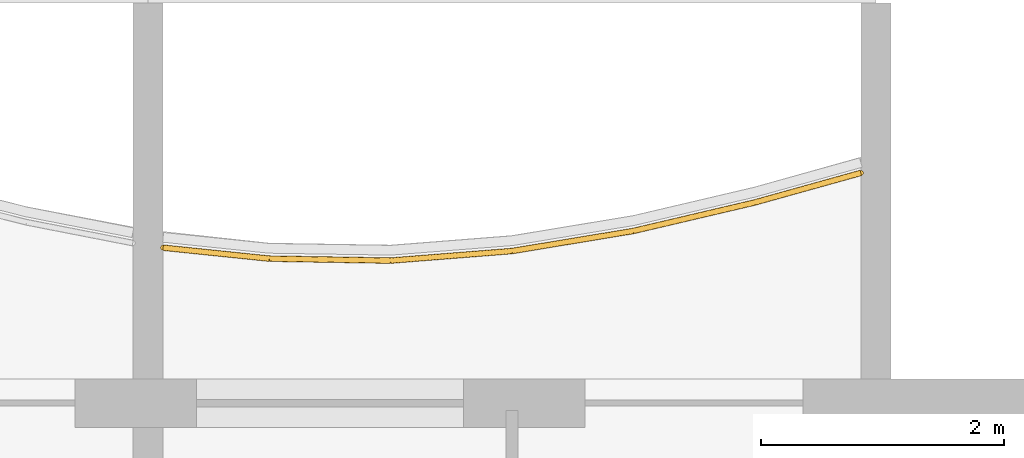
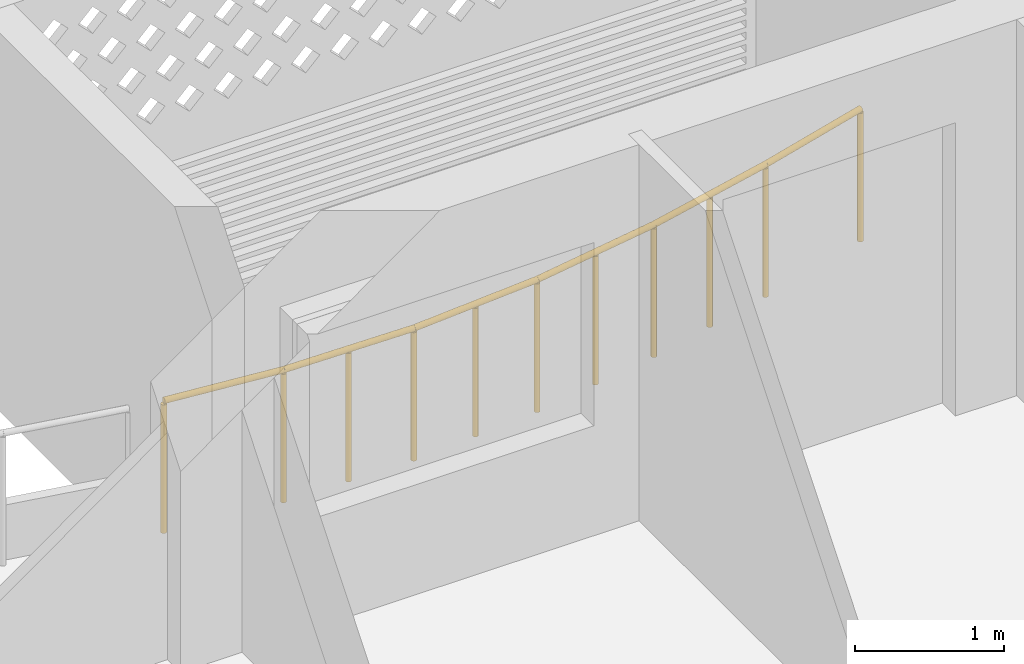
# One storey, part 28 of 29: 1 railing.
"""IFC4 building model written with IfcOpenShell, lengths in metres."""

from ifc_helpers import new_model, si_unit, direction, frame, origin, origin_2d, place, context, subcontext, project, spatial, circle, extrude, material, type_object, element, save


model = new_model("IFC4")

# Units and contexts
model_context = context("Model", 3, precision=1e-05, world=origin(), true_north=direction((0.0, 1.0)))
body_context = subcontext(model_context, "Body", "Model", "MODEL_VIEW")
ifc_project = project(units=[si_unit("LENGTHUNIT", "METRE"), si_unit("AREAUNIT", "SQUARE_METRE"), si_unit("VOLUMEUNIT", "CUBIC_METRE"), si_unit("PLANEANGLEUNIT", "RADIAN"), si_unit("MASSUNIT", "GRAM", prefix="KILO")], contexts=[model_context])

# Site, building, storey
site_placement = place(None, origin())
site = spatial("IfcSite", under=ifc_project, at=site_placement, CompositionType="ELEMENT")
building_placement = place(site_placement, origin())
building = spatial("IfcBuilding", under=site, at=building_placement, Name="Poui Terraces", CompositionType="ELEMENT")
storey_placement = place(building_placement, frame((0.0, 0.0, 237.89990234375)))
storey = spatial("IfcBuildingStorey", under=building, at=storey_placement, Name="L66", CompositionType="ELEMENT", Elevation=237.89990234375)

# Railing
ifc_material = material(Name="Painted steel fretwork", Category="steel")
railing_type = type_object("IfcRailingType", Name="BALCONY GUARD 1100", PredefinedType="GUARDRAIL", material=ifc_material)
railing_placement = place(storey_placement, frame((72.125, 42.481689453125, 0.0)))
element("IfcRailing", 1, at=railing_placement, inside=storey, type_object=railing_type, Name="BALCONY GUARD", PredefinedType="GUARDRAIL", context=body_context, shape_type="SweptSolid", body=[
    extrude(circle(Radius=0.02392578125, at=origin_2d()), frame((0.0, 0.0, 1.076171875), z_axis=(0.994713322393, -0.102690828484, 0.0), x_axis=(0.102690828484, 0.994713322393, 0.0)), (0.0, 0.0, 1.0), 0.879638671875),
    extrude(circle(Radius=0.02392578125, at=origin_2d()), frame((0.875, -0.09033203125, 1.076171875), z_axis=(0.999870206358, -0.016111189849, 0.0), x_axis=(0.016111189849, 0.999870206358, 0.0)), (0.0, 0.0, 1.0), 1.000244140625),
    extrude(circle(Radius=0.02392578125, at=origin_2d()), frame((1.875, -0.1064453125, 1.076171875), z_axis=(0.996905179889, 0.07861337234, 0.0), x_axis=(-0.07861337234, 0.996905179889, 0.0)), (0.0, 0.0, 1.0), 1.003173828125),
    extrude(circle(Radius=0.02392578125, at=origin_2d()), frame((2.875, -0.027587890625, 1.076171875), z_axis=(0.986614372238, 0.163070783693, 0.0), x_axis=(-0.163070783693, 0.986614372238, 0.0)), (0.0, 0.0, 1.0), 1.013671875),
    extrude(circle(Radius=0.02392578125, at=origin_2d()), frame((3.875, 0.1376953125, 1.076171875), z_axis=(0.973510598085, 0.228641893398, 0.0), x_axis=(-0.228641893398, 0.973510598085, 0.0)), (0.0, 0.0, 1.0), 1.027099609375),
    extrude(circle(Radius=0.02392578125, at=origin_2d()), frame((4.875, 0.37255859375, 1.076171875), z_axis=(0.963348277861, 0.268253789427, 0.0), x_axis=(-0.268253789427, 0.963348277861, 0.0)), (0.0, 0.0, 1.0), 0.908203125),
    extrude(circle(Radius=0.02099609375, at=origin_2d()), origin(), (0.0, 0.0, 1.0), 1.052001953125),
    extrude(circle(Radius=0.02099609375, at=origin_2d()), frame((0.875, -0.09033203125, 0.0)), (0.0, 0.0, 1.0), 1.052001953125),
    extrude(circle(Radius=0.02099609375, at=origin_2d()), frame((1.375, -0.098388671875, 0.0)), (0.0, 0.0, 1.0), 1.052001953125),
    extrude(circle(Radius=0.02099609375, at=origin_2d()), frame((1.875, -0.1064453125, 0.0)), (0.0, 0.0, 1.0), 1.052001953125),
    extrude(circle(Radius=0.02099609375, at=origin_2d()), frame((2.375, -0.06689453125, 0.0)), (0.0, 0.0, 1.0), 1.052001953125),
    extrude(circle(Radius=0.02099609375, at=origin_2d()), frame((2.875, -0.027587890625, 0.0)), (0.0, 0.0, 1.0), 1.052001953125),
    extrude(circle(Radius=0.02099609375, at=origin_2d()), frame((3.375, 0.05517578125, 0.0)), (0.0, 0.0, 1.0), 1.052001953125),
    extrude(circle(Radius=0.02099609375, at=origin_2d()), frame((3.875, 0.1376953125, 0.0)), (0.0, 0.0, 1.0), 1.052001953125),
    extrude(circle(Radius=0.02099609375, at=origin_2d()), frame((4.375, 0.255126953125, 0.0)), (0.0, 0.0, 1.0), 1.052001953125),
    extrude(circle(Radius=0.02099609375, at=origin_2d()), frame((4.875, 0.37255859375, 0.0)), (0.0, 0.0, 1.0), 1.052001953125),
    extrude(circle(Radius=0.02099609375, at=origin_2d()), frame((5.75, 0.6162109375, 0.0)), (0.0, 0.0, 1.0), 1.052001953125),
])

save(model, "model.ifc")
